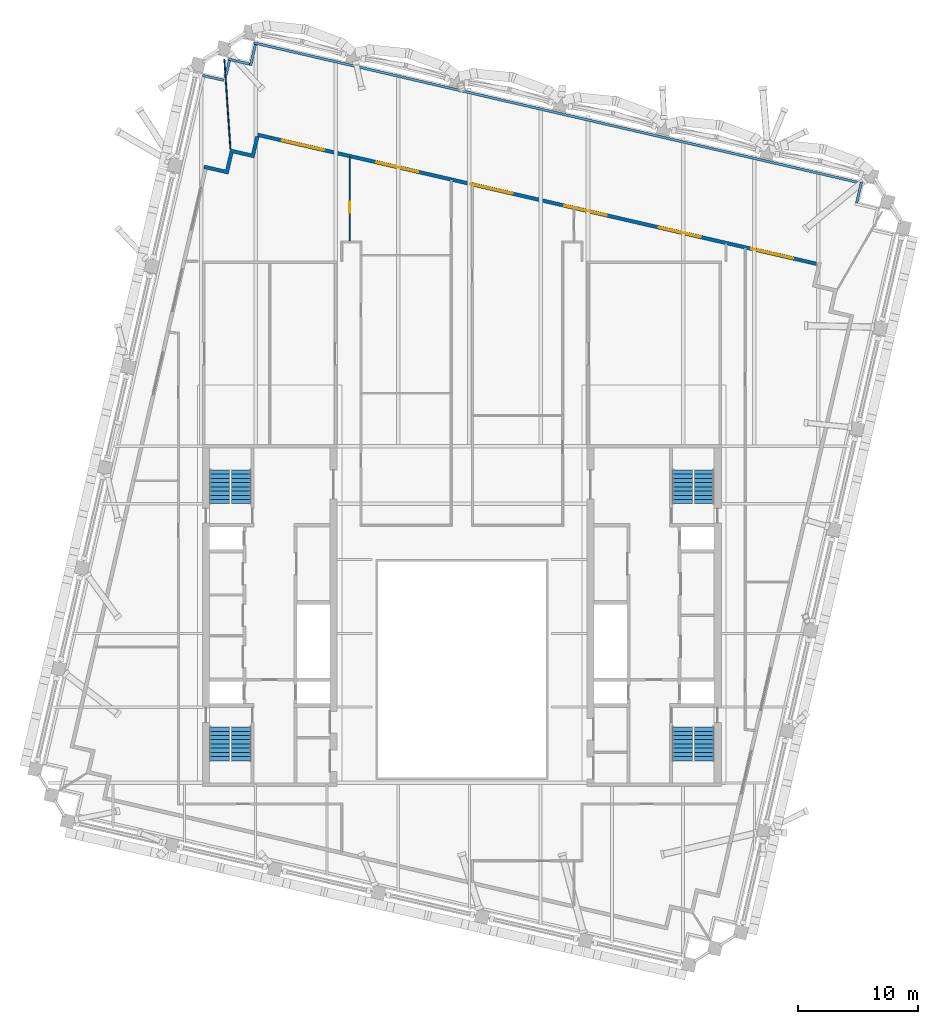
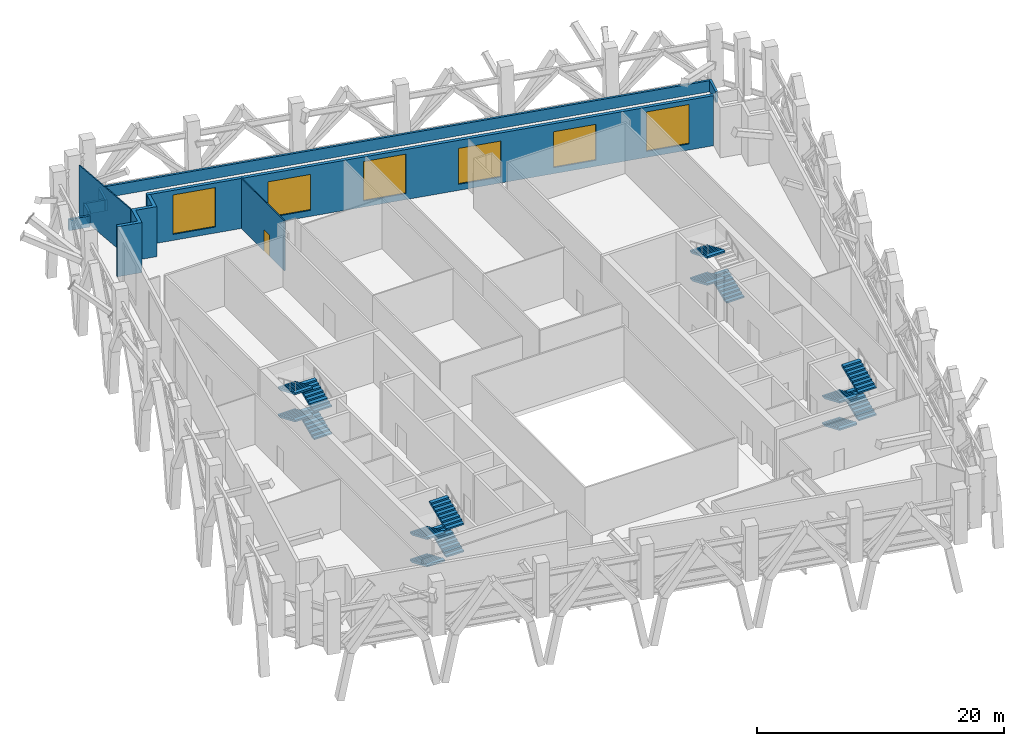
# One storey, part 10 of 19: 15 stair flights, 10 walls, 6 windows, 1 door, 7 openings, 4 elements without a shape of their own.
"""IFC4 building model written with IfcOpenShell, lengths in metres."""

from ifc_helpers import new_model, si_unit, direction, frame, frame_2d, origin, place, context, subcontext, project, spatial, polyline, rectangle, outline, extrude, material, layer, layer_set, type_object, element, fill, aggregate, save


model = new_model("IFC4")

# Units and contexts
model_context = context("Model", 3, precision=1e-05, world=origin(), true_north=direction((0.0, 1.0)))
body_context = subcontext(model_context, "Body", "Model", "MODEL_VIEW")
ifc_project = project(units=[si_unit("LENGTHUNIT", "METRE"), si_unit("AREAUNIT", "SQUARE_METRE"), si_unit("VOLUMEUNIT", "CUBIC_METRE"), si_unit("PLANEANGLEUNIT", "RADIAN"), si_unit("MASSUNIT", "GRAM", prefix="KILO")], contexts=[model_context])

# Site, building, storey
site_placement = place(None, origin())
site = spatial("IfcSite", under=ifc_project, at=site_placement, CompositionType="ELEMENT")
building_placement = place(site_placement, origin())
building = spatial("IfcBuilding", under=site, at=building_placement, Name="Ogive Exchange Tower", CompositionType="ELEMENT")
storey_placement = place(building_placement, frame((0.0, 0.0, 297.60009765625)))
storey = spatial("IfcBuildingStorey", under=building, at=storey_placement, Name="L65", CompositionType="ELEMENT", Elevation=297.60009765625)

# Wall, openings, windows
ifc_material_1 = material(Name="Precast concrete C40/50", Category="concrete")
ifc_layer_1 = layer(ifc_material_1, 0.300048828125)
ifc_layer_set_1 = layer_set([ifc_layer_1], Name="Limestone-faced wall 300")
wall_type_1 = type_object("IfcWallType", Name="Limestone-faced wall 300", PredefinedType="STANDARD", material=ifc_layer_set_1)
wall_1_placement = place(storey_placement, frame((29.6162109375, 40.75830078125, 0.0), z_axis=(0.0, 0.0, 1.0), x_axis=(-0.974370532314, 0.224949029246, 0.0)))
wall_1 = element("IfcWall", 1, at=wall_1_placement, inside=storey, type_object=wall_type_1, Name="External wall N3", PredefinedType="STANDARD", context=body_context, shape_type="SweptSolid", body=[
    extrude(rectangle(XDim=48.000244140625, YDim=0.300048828125, at=frame_2d((24.0, 0.0))), origin(), (0.0, 0.0, 1.0), 4.949951171875),
])
opening_1_placement = place(wall_1_placement, frame((2.074951171875, 0.0, 0.60009765625)))
opening_1 = element("IfcOpeningElement", 2, at=opening_1_placement, cuts=wall_1, Name="Opening LV1", PredefinedType="OPENING", context=body_context, shape_type="SweptSolid", body=[
    extrude(rectangle(XDim=3.60009765625, YDim=3.89990234375, at=frame_2d((1.800048828125, 1.949951171875))), frame((0.0, 0.159912109375, 0.0), z_axis=(0.0, -1.0, 0.0), x_axis=(1.0, 0.0, 0.0)), (0.0, 0.0, 1.0), 0.320068359375),
])
opening_2_placement = place(wall_1_placement, frame((9.97509765625, 0.0, 0.60009765625)))
opening_2 = element("IfcOpeningElement", 3, at=opening_2_placement, cuts=wall_1, Name="Opening LV1E", PredefinedType="OPENING", context=body_context, shape_type="SweptSolid", body=[
    extrude(rectangle(XDim=3.60009765625, YDim=3.550048828125, at=frame_2d((1.800048828125, 1.77490234375))), frame((0.0, 0.159912109375, 0.0), z_axis=(0.0, -1.0, 0.0), x_axis=(1.0, 0.0, 0.0)), (0.0, 0.0, 1.0), 0.320068359375),
])
opening_3_placement = place(wall_1_placement, frame((18.02490234375, 0.0, 0.60009765625)))
opening_3 = element("IfcOpeningElement", 4, at=opening_3_placement, cuts=wall_1, Name="Opening LV1E", PredefinedType="OPENING", context=body_context, shape_type="SweptSolid", body=[
    extrude(rectangle(XDim=3.60009765625, YDim=3.550048828125, at=frame_2d((1.800048828125, 1.77490234375))), frame((0.0, 0.159912109375, 0.0), z_axis=(0.0, -1.0, 0.0), x_axis=(1.0, 0.0, 0.0)), (0.0, 0.0, 1.0), 0.320068359375),
])
opening_4_placement = place(wall_1_placement, frame((26.074951171875, 0.0, 0.60009765625)))
opening_4 = element("IfcOpeningElement", 5, at=opening_4_placement, cuts=wall_1, Name="Opening LV1", PredefinedType="OPENING", context=body_context, shape_type="SweptSolid", body=[
    extrude(rectangle(XDim=3.60009765625, YDim=3.89990234375, at=frame_2d((1.800048828125, 1.949951171875))), frame((0.0, 0.159912109375, 0.0), z_axis=(0.0, -1.0, 0.0), x_axis=(1.0, 0.0, 0.0)), (0.0, 0.0, 1.0), 0.320068359375),
])
opening_5_placement = place(wall_1_placement, frame((34.125, 0.0, 0.60009765625)))
opening_5 = element("IfcOpeningElement", 6, at=opening_5_placement, cuts=wall_1, Name="Opening LV1E", PredefinedType="OPENING", context=body_context, shape_type="SweptSolid", body=[
    extrude(rectangle(XDim=3.60009765625, YDim=3.550048828125, at=frame_2d((1.800048828125, 1.77490234375))), frame((0.0, 0.159912109375, 0.0), z_axis=(0.0, -1.0, 0.0), x_axis=(1.0, 0.0, 0.0)), (0.0, 0.0, 1.0), 0.320068359375),
])
opening_6_placement = place(wall_1_placement, frame((42.175048828125, 0.0, 0.60009765625)))
opening_6 = element("IfcOpeningElement", 7, at=opening_6_placement, cuts=wall_1, Name="Opening LV1", PredefinedType="OPENING", context=body_context, shape_type="SweptSolid", body=[
    extrude(rectangle(XDim=3.60009765625, YDim=3.89990234375, at=frame_2d((1.800048828125, 1.949951171875))), frame((0.0, 0.159912109375, 0.0), z_axis=(0.0, -1.0, 0.0), x_axis=(1.0, 0.0, 0.0)), (0.0, 0.0, 1.0), 0.320068359375),
])
ifc_material_2 = material(Name="Anodised aluminium louvre", Category="aluminium")
window_type_1 = type_object("IfcWindowType", Name="Plant louvre 3600 x 3550", PartitioningType="DOUBLE_PANEL_HORIZONTAL", PredefinedType="WINDOW", material=ifc_material_2)
window_1_placement = place(opening_2_placement, origin())
window_1 = element("IfcWindow", 8, at=window_1_placement, inside=storey, type_object=window_type_1, Name="Louvre N01", OverallHeight=3.550048828125, OverallWidth=3.60009765625, PartitioningType="DOUBLE_PANEL_HORIZONTAL", PredefinedType="WINDOW", context=body_context, shape_type="SweptSolid", body=[
    extrude(rectangle(XDim=3.60009765625, YDim=3.550048828125, at=frame_2d((1.800048828125, 1.77490234375))), frame((0.0, 0.030029296875, 0.0), z_axis=(0.0, -1.0, 0.0), x_axis=(1.0, 0.0, 0.0)), (0.0, 0.0, 1.0), 0.06005859375),
])
fill(opening_2, window_1)
window_2_placement = place(opening_3_placement, origin())
window_2 = element("IfcWindow", 9, at=window_2_placement, inside=storey, type_object=window_type_1, Name="Louvre N02", OverallHeight=3.550048828125, OverallWidth=3.60009765625, PartitioningType="DOUBLE_PANEL_HORIZONTAL", PredefinedType="WINDOW", context=body_context, shape_type="SweptSolid", body=[
    extrude(rectangle(XDim=3.60009765625, YDim=3.550048828125, at=frame_2d((1.800048828125, 1.77490234375))), frame((0.0, 0.030029296875, 0.0), z_axis=(0.0, -1.0, 0.0), x_axis=(1.0, 0.0, 0.0)), (0.0, 0.0, 1.0), 0.06005859375),
])
fill(opening_3, window_2)
window_3_placement = place(opening_5_placement, origin())
window_3 = element("IfcWindow", 10, at=window_3_placement, inside=storey, type_object=window_type_1, Name="Louvre N04", OverallHeight=3.550048828125, OverallWidth=3.60009765625, PartitioningType="DOUBLE_PANEL_HORIZONTAL", PredefinedType="WINDOW", context=body_context, shape_type="SweptSolid", body=[
    extrude(rectangle(XDim=3.60009765625, YDim=3.550048828125, at=frame_2d((1.800048828125, 1.77490234375))), frame((0.0, 0.030029296875, 0.0), z_axis=(0.0, -1.0, 0.0), x_axis=(1.0, 0.0, 0.0)), (0.0, 0.0, 1.0), 0.06005859375),
])
fill(opening_5, window_3)
window_type_2 = type_object("IfcWindowType", Name="Plant louvre 3600 x 3900", PartitioningType="DOUBLE_PANEL_HORIZONTAL", PredefinedType="WINDOW", material=ifc_material_2)
window_4_placement = place(opening_1_placement, origin())
window_4 = element("IfcWindow", 11, at=window_4_placement, inside=storey, type_object=window_type_2, Name="Louvre N00", OverallHeight=3.89990234375, OverallWidth=3.60009765625, PartitioningType="DOUBLE_PANEL_HORIZONTAL", PredefinedType="WINDOW", context=body_context, shape_type="SweptSolid", body=[
    extrude(rectangle(XDim=3.60009765625, YDim=3.89990234375, at=frame_2d((1.800048828125, 1.949951171875))), frame((0.0, 0.030029296875, 0.0), z_axis=(0.0, -1.0, 0.0), x_axis=(1.0, 0.0, 0.0)), (0.0, 0.0, 1.0), 0.06005859375),
])
fill(opening_1, window_4)
window_5_placement = place(opening_4_placement, origin())
window_5 = element("IfcWindow", 12, at=window_5_placement, inside=storey, type_object=window_type_2, Name="Louvre N03", OverallHeight=3.89990234375, OverallWidth=3.60009765625, PartitioningType="DOUBLE_PANEL_HORIZONTAL", PredefinedType="WINDOW", context=body_context, shape_type="SweptSolid", body=[
    extrude(rectangle(XDim=3.60009765625, YDim=3.89990234375, at=frame_2d((1.800048828125, 1.949951171875))), frame((0.0, 0.030029296875, 0.0), z_axis=(0.0, -1.0, 0.0), x_axis=(1.0, 0.0, 0.0)), (0.0, 0.0, 1.0), 0.06005859375),
])
fill(opening_4, window_5)
window_6_placement = place(opening_6_placement, origin())
window_6 = element("IfcWindow", 13, at=window_6_placement, inside=storey, type_object=window_type_2, Name="Louvre N05", OverallHeight=3.89990234375, OverallWidth=3.60009765625, PartitioningType="DOUBLE_PANEL_HORIZONTAL", PredefinedType="WINDOW", context=body_context, shape_type="SweptSolid", body=[
    extrude(rectangle(XDim=3.60009765625, YDim=3.89990234375, at=frame_2d((1.800048828125, 1.949951171875))), frame((0.0, 0.030029296875, 0.0), z_axis=(0.0, -1.0, 0.0), x_axis=(1.0, 0.0, 0.0)), (0.0, 0.0, 1.0), 0.06005859375),
])
fill(opening_6, window_6)

# Walls
wall_2_placement = place(storey_placement, origin())
element("IfcWall", 14, at=wall_2_placement, inside=storey, type_object=wall_type_1, Name="External corner wall C3", PredefinedType="STANDARD", context=body_context, shape_type="SweptSolid", body=[
    extrude(outline(polyline([(-21.5048828125, 48.7119140625), (-21.4375, 49.004150390625), (-19.68359375, 48.599365234375), (-19.27880859375, 50.353271484375), (-17.52490234375, 49.9482421875), (-17.1875, 51.409912109375), (-16.89501953125, 51.34228515625), (-17.300048828125, 49.58837890625), (-19.053955078125, 49.993408203125), (-19.458740234375, 48.239501953125), (-21.5048828125, 48.7119140625)])), origin(), (0.0, 0.0, 1.0), 4.949951171875),
])
ifc_material_3 = material(Name="Laminated safety glass in steel frame", Category="steel")
ifc_layer_2 = layer(ifc_material_3, 0.10009765625)
ifc_layer_set_2 = layer_set([ifc_layer_2], Name="Loggia end screen 100")
wall_type_2 = type_object("IfcWallType", Name="Loggia end screen 100", PredefinedType="STANDARD", material=ifc_layer_set_2)
wall_3_placement = place(storey_placement, frame((-19.27880859375, 50.353271484375, -0.050048828125), z_axis=(0.0, 0.0, 1.0), x_axis=(-0.067645197013, 0.997709440329, 0.0)))
element("IfcWall", 15, at=wall_3_placement, inside=storey, type_object=wall_type_2, Name="Loggia end screen C3", PredefinedType="STANDARD", context=body_context, shape_type="SweptSolid", body=[
    extrude(rectangle(XDim=7.46728515625, YDim=0.10009765625, at=frame_2d((3.733642578125, 0.0))), origin(), (0.0, 0.0, 1.0), 5.0),
])

# Wall, opening, door
ifc_material_4 = material(Name="Partition 100 gypsum")
ifc_layer_3 = layer(ifc_material_4, 0.10009765625)
ifc_layer_set_3 = layer_set([ifc_layer_3], Name="Partition 100 gypsum")
wall_type_3 = type_object("IfcWallType", Name="Partition 100 gypsum", PredefinedType="PARTITIONING", material=ifc_layer_set_3)
wall_4_placement = place(storey_placement, frame((-9.340087890625, 42.675048828125, 0.0), z_axis=(0.0, 0.0, 1.0), x_axis=(0.0, 1.0, 0.0)))
wall_4 = element("IfcWall", 16, at=wall_4_placement, inside=storey, type_object=wall_type_3, Name="L65-PWL-012", PredefinedType="PARTITIONING", context=body_context, shape_type="SweptSolid", body=[
    extrude(rectangle(XDim=7.005859375, YDim=0.10009765625, at=frame_2d((3.5029296875, 0.0))), origin(), (0.0, 0.0, 1.0), 4.949951171875),
])
opening_7_placement = place(wall_4_placement, frame((2.375, 0.0, 0.0)))
opening_7 = element("IfcOpeningElement", 17, at=opening_7_placement, cuts=wall_4, Name="Opening L65-I04", PredefinedType="OPENING", context=body_context, shape_type="SweptSolid", body=[
    extrude(rectangle(XDim=0.89990234375, YDim=2.10009765625, at=frame_2d((0.449951171875, 1.050048828125))), frame((0.0, 0.06005859375, 0.0), z_axis=(0.0, -1.0, 0.0), x_axis=(1.0, 0.0, 0.0)), (0.0, 0.0, 1.0), 0.1201171875),
])
ifc_material_5 = material(Name="Door 900 x 2100")
door_type = type_object("IfcDoorType", Name="Door 900 x 2100", OperationType="NOTDEFINED", PredefinedType="DOOR", material=ifc_material_5)
door_placement = place(opening_7_placement, frame((0.89990234375, 0.0, 0.0), z_axis=(0.0, 0.0, 1.0), x_axis=(-1.0, 0.0, 0.0)))
door = element("IfcDoor", 18, at=door_placement, inside=storey, type_object=door_type, Name="L65-IDR-004", ObjectType="DT1", OperationType="SINGLE_SWING_LEFT", OverallHeight=2.10009765625, OverallWidth=0.89990234375, PredefinedType="DOOR", context=body_context, shape_type="SweptSolid", body=[
    extrude(rectangle(XDim=0.89990234375, YDim=2.10009765625, at=frame_2d((0.449951171875, 1.050048828125))), frame((0.0, 0.02490234375, 0.0), z_axis=(0.0, -1.0, 0.0), x_axis=(1.0, 0.0, 0.0)), (0.0, 0.0, 1.0), 0.050048828125),
])
fill(opening_7, door)

# Walls
ifc_layer_4 = layer(ifc_material_1, 0.199951171875)
ifc_layer_set_4 = layer_set([ifc_layer_4], Name="Plant deck parapet 200")
wall_type_4 = type_object("IfcWallType", Name="Plant deck parapet 200", PredefinedType="STANDARD", material=ifc_layer_set_4)
wall_5_placement = place(storey_placement, frame((32.873779296875, 45.844970703125, -0.050048828125), z_axis=(0.0, 0.0, 1.0), x_axis=(0.225008086135, 0.974356896201, 0.0)))
element("IfcWall", 19, at=wall_5_placement, inside=storey, type_object=wall_type_4, Name="Plant deck parapet 10", PredefinedType="STANDARD", context=body_context, shape_type="SweptSolid", body=[
    extrude(rectangle(XDim=1.800048828125, YDim=0.199951171875, at=frame_2d((0.89990234375, 0.0))), origin(), (0.0, 0.0, 1.0), 1.099853515625),
])
wall_6_placement = place(storey_placement, frame((33.15869140625, 47.52392578125, -0.050048828125), z_axis=(0.0, 0.0, 1.0), x_axis=(-0.974370681559, 0.224948382787, 0.0)))
element("IfcWall", 20, at=wall_6_placement, inside=storey, type_object=wall_type_4, Name="Plant deck parapet 11", PredefinedType="STANDARD", context=body_context, shape_type="SweptSolid", body=[
    extrude(rectangle(XDim=51.760009765625, YDim=0.199951171875, at=frame_2d((25.8798828125, 0.0))), origin(), (0.0, 0.0, 1.0), 1.099853515625),
])
for number, where, z_axis, x_axis, name in (
    (21, (-17.19970703125, 59.04736328125, -0.050048828125), (0.0, 0.0, 1.0), (-0.224879318197, -0.974386623598, 0.0), "Plant deck parapet 12"),
    (22, (-17.679443359375, 57.41357421875, -0.050048828125), (0.0, 0.0, 1.0), (-0.974386623598, 0.224879318197, 0.0), "Plant deck parapet 13"),
):
    element("IfcWall", number, at=place(storey_placement, frame(where, z_axis=z_axis, x_axis=x_axis)), inside=storey, type_object=wall_type_4, Name=name, PredefinedType="STANDARD", context=body_context, shape_type="SweptSolid", body=[
        extrude(rectangle(XDim=1.800048828125, YDim=0.199951171875, at=frame_2d((0.89990234375, 0.0))), origin(), (0.0, 0.0, 1.0), 1.099853515625),
    ])
wall_7_placement = place(storey_placement, frame((-19.3583984375, 57.698486328125, -0.050048828125), z_axis=(0.0, 0.0, 1.0), x_axis=(-0.224991665292, -0.974360688118, 0.0)))
element("IfcWall", 23, at=wall_7_placement, inside=storey, type_object=wall_type_4, Name="Plant deck parapet 14", PredefinedType="STANDARD", context=body_context, shape_type="SweptSolid", body=[
    extrude(rectangle(XDim=1.21435546875, YDim=0.199951171875, at=frame_2d((0.607177734375, 0.0))), origin(), (0.0, 0.0, 1.0), 1.099853515625),
])
wall_8_placement = place(storey_placement, frame((-19.83837890625, 56.064453125, -0.050048828125), z_axis=(0.0, 0.0, 1.0), x_axis=(-0.974350028141, 0.22503782496, 0.0)))
element("IfcWall", 24, at=wall_8_placement, inside=storey, type_object=wall_type_4, Name="Plant deck parapet 15", PredefinedType="STANDARD", context=body_context, shape_type="SweptSolid", body=[
    extrude(rectangle(XDim=1.7998046875, YDim=0.199951171875, at=frame_2d((0.89990234375, 0.0))), origin(), (0.0, 0.0, 1.0), 1.099853515625),
])

# Stair, stair flights
ifc_material_6 = material(Name="Concrete C40/50", Category="concrete")
stair_type = type_object("IfcStairType", Name="Exit stair 1650 wide", PredefinedType="HALF_TURN_STAIR", material=ifc_material_6)
stair_1_placement = place(storey_placement, origin())
stair_1 = element("IfcStair", 25, at=stair_1_placement, inside=storey, type_object=stair_type, Name="L65 exit stair ST1", PredefinedType="HALF_TURN_STAIR")
stair_flight_type = type_object("IfcStairFlightType", Name="Stair flight 1650 wide", PredefinedType="STRAIGHT", material=ifc_material_6)
stair_flight_1_placement = place(storey_placement, frame((-20.175048828125, 2.199951171875, 0.0), z_axis=(0.0, 0.0, 1.0), x_axis=(0.0, -1.0, 0.0)))
stair_flight_1 = element("IfcStairFlight", 26, at=stair_flight_1_placement, type_object=stair_flight_type, Name="ST1 flight 1", NumberOfRisers=9, NumberOfTreads=8, PredefinedType="STRAIGHT", RiserHeight=0.15, TreadLength=0.351, context=body_context, shape_type="SweptSolid", body=[
    extrude(outline(polyline([(0.0, 0.0), (0.0, 0.14990234375), (0.35107421875, 0.14990234375), (0.35107421875, 0.300048828125), (0.701904296875, 0.300048828125), (0.701904296875, 0.449951171875), (1.052978515625, 0.449951171875), (1.052978515625, 0.60009765625), (1.404052734375, 0.60009765625), (1.404052734375, 0.75), (1.7548828125, 0.75), (1.7548828125, 0.89990234375), (2.10595703125, 0.89990234375), (2.10595703125, 1.050048828125), (2.45703125, 1.050048828125), (2.45703125, 1.199951171875), (2.80810546875, 1.199951171875), (2.80810546875, 1.35009765625), (2.80810546875, 1.036865234375), (0.38134765625, 0.0), (0.0, 0.0)])), frame((0.0, 0.824951171875, 0.0), z_axis=(0.0, -1.0, 0.0), x_axis=(1.0, 0.0, 0.0)), (0.0, 0.0, 1.0), 1.64990234375),
])
stair_flight_2_placement = place(storey_placement, frame((-18.375, -0.60791015625, 1.349853515625), z_axis=(0.0, 0.0, 1.0), x_axis=(0.0, 1.0, 0.0)))
stair_flight_2 = element("IfcStairFlight", 27, at=stair_flight_2_placement, type_object=stair_flight_type, Name="ST1 flight 2", NumberOfRisers=9, NumberOfTreads=8, PredefinedType="STRAIGHT", RiserHeight=0.15, TreadLength=0.351, context=body_context, shape_type="SweptSolid", body=[
    extrude(outline(polyline([(0.0, 0.0), (0.0, 0.14990234375), (0.35107421875, 0.14990234375), (0.35107421875, 0.300048828125), (0.701904296875, 0.300048828125), (0.701904296875, 0.449951171875), (1.052978515625, 0.449951171875), (1.052978515625, 0.60009765625), (1.404052734375, 0.60009765625), (1.404052734375, 0.75), (1.7548828125, 0.75), (1.7548828125, 0.89990234375), (2.10595703125, 0.89990234375), (2.10595703125, 1.050048828125), (2.45703125, 1.050048828125), (2.45703125, 1.199951171875), (2.80810546875, 1.199951171875), (2.80810546875, 1.35009765625), (2.80810546875, 1.036865234375), (0.38134765625, 0.0), (0.0, 0.0)])), frame((0.0, 0.824951171875, 0.0), z_axis=(0.0, -1.0, 0.0), x_axis=(1.0, 0.0, 0.0)), (0.0, 0.0, 1.0), 1.64990234375),
])
stair_flight_3_placement = place(storey_placement, frame((-20.175048828125, 2.199951171875, 2.699951171875), z_axis=(0.0, 0.0, 1.0), x_axis=(0.0, -1.0, 0.0)))
stair_flight_3 = element("IfcStairFlight", 28, at=stair_flight_3_placement, type_object=stair_flight_type, Name="ST1 flight 3", NumberOfRisers=9, NumberOfTreads=8, PredefinedType="STRAIGHT", RiserHeight=0.15, TreadLength=0.351, context=body_context, shape_type="SweptSolid", body=[
    extrude(outline(polyline([(0.0, 0.0), (0.0, 0.14990234375), (0.35107421875, 0.14990234375), (0.35107421875, 0.300048828125), (0.701904296875, 0.300048828125), (0.701904296875, 0.449951171875), (1.052978515625, 0.449951171875), (1.052978515625, 0.60009765625), (1.404052734375, 0.60009765625), (1.404052734375, 0.75), (1.7548828125, 0.75), (1.7548828125, 0.89990234375), (2.10595703125, 0.89990234375), (2.10595703125, 1.050048828125), (2.45703125, 1.050048828125), (2.45703125, 1.199951171875), (2.80810546875, 1.199951171875), (2.80810546875, 1.35009765625), (2.80810546875, 1.036865234375), (0.38134765625, 0.0), (0.0, 0.0)])), frame((0.0, 0.824951171875, 0.0), z_axis=(0.0, -1.0, 0.0), x_axis=(1.0, 0.0, 0.0)), (0.0, 0.0, 1.0), 1.64990234375),
])
stair_flight_4_placement = place(storey_placement, frame((-18.375, -0.60791015625, 4.0498046875), z_axis=(0.0, 0.0, 1.0), x_axis=(0.0, 1.0, 0.0)))
stair_flight_4 = element("IfcStairFlight", 29, at=stair_flight_4_placement, type_object=stair_flight_type, Name="ST1 flight 4", NumberOfRisers=9, NumberOfTreads=8, PredefinedType="STRAIGHT", RiserHeight=0.15, TreadLength=0.351, context=body_context, shape_type="SweptSolid", body=[
    extrude(outline(polyline([(0.0, 0.0), (0.0, 0.14990234375), (0.35107421875, 0.14990234375), (0.35107421875, 0.300048828125), (0.701904296875, 0.300048828125), (0.701904296875, 0.449951171875), (1.052978515625, 0.449951171875), (1.052978515625, 0.60009765625), (1.404052734375, 0.60009765625), (1.404052734375, 0.75), (1.7548828125, 0.75), (1.7548828125, 0.89990234375), (2.10595703125, 0.89990234375), (2.10595703125, 1.050048828125), (2.45703125, 1.050048828125), (2.45703125, 1.199951171875), (2.80810546875, 1.199951171875), (2.80810546875, 1.35009765625), (2.80810546875, 1.036865234375), (0.38134765625, 0.0), (0.0, 0.0)])), frame((0.0, 0.824951171875, 0.0), z_axis=(0.0, -1.0, 0.0), x_axis=(1.0, 0.0, 0.0)), (0.0, 0.0, 1.0), 1.64990234375),
])
aggregate(stair_1, [stair_flight_1, stair_flight_2, stair_flight_3, stair_flight_4])

stair_2_placement = place(storey_placement, origin())
stair_2 = element("IfcStair", 30, at=stair_2_placement, inside=storey, type_object=stair_type, Name="L65 exit stair ST2", PredefinedType="HALF_TURN_STAIR")
stair_flight_5_placement = place(storey_placement, frame((-18.375, 20.800048828125, 0.0), z_axis=(0.0, 0.0, 1.0), x_axis=(0.0, 1.0, 0.0)))
stair_flight_5 = element("IfcStairFlight", 31, at=stair_flight_5_placement, type_object=stair_flight_type, Name="ST2 flight 1", NumberOfRisers=9, NumberOfTreads=8, PredefinedType="STRAIGHT", RiserHeight=0.15, TreadLength=0.351, context=body_context, shape_type="SweptSolid", body=[
    extrude(outline(polyline([(0.0, 0.0), (0.0, 0.14990234375), (0.35107421875, 0.14990234375), (0.35107421875, 0.300048828125), (0.701904296875, 0.300048828125), (0.701904296875, 0.449951171875), (1.052978515625, 0.449951171875), (1.052978515625, 0.60009765625), (1.404052734375, 0.60009765625), (1.404052734375, 0.75), (1.7548828125, 0.75), (1.7548828125, 0.89990234375), (2.10595703125, 0.89990234375), (2.10595703125, 1.050048828125), (2.45703125, 1.050048828125), (2.45703125, 1.199951171875), (2.80810546875, 1.199951171875), (2.80810546875, 1.35009765625), (2.80810546875, 1.036865234375), (0.38134765625, 0.0), (0.0, 0.0)])), frame((0.0, 0.824951171875, 0.0), z_axis=(0.0, -1.0, 0.0), x_axis=(1.0, 0.0, 0.0)), (0.0, 0.0, 1.0), 1.64990234375),
])
stair_flight_6_placement = place(storey_placement, frame((-20.175048828125, 23.60791015625, 1.349853515625), z_axis=(0.0, 0.0, 1.0), x_axis=(0.0, -1.0, 0.0)))
stair_flight_6 = element("IfcStairFlight", 32, at=stair_flight_6_placement, type_object=stair_flight_type, Name="ST2 flight 2", NumberOfRisers=9, NumberOfTreads=8, PredefinedType="STRAIGHT", RiserHeight=0.15, TreadLength=0.351, context=body_context, shape_type="SweptSolid", body=[
    extrude(outline(polyline([(0.0, 0.0), (0.0, 0.14990234375), (0.35107421875, 0.14990234375), (0.35107421875, 0.300048828125), (0.701904296875, 0.300048828125), (0.701904296875, 0.449951171875), (1.052978515625, 0.449951171875), (1.052978515625, 0.60009765625), (1.404052734375, 0.60009765625), (1.404052734375, 0.75), (1.7548828125, 0.75), (1.7548828125, 0.89990234375), (2.10595703125, 0.89990234375), (2.10595703125, 1.050048828125), (2.45703125, 1.050048828125), (2.45703125, 1.199951171875), (2.80810546875, 1.199951171875), (2.80810546875, 1.35009765625), (2.80810546875, 1.036865234375), (0.38134765625, 0.0), (0.0, 0.0)])), frame((0.0, 0.824951171875, 0.0), z_axis=(0.0, -1.0, 0.0), x_axis=(1.0, 0.0, 0.0)), (0.0, 0.0, 1.0), 1.64990234375),
])
stair_flight_7_placement = place(storey_placement, frame((-18.375, 20.800048828125, 2.699951171875), z_axis=(0.0, 0.0, 1.0), x_axis=(0.0, 1.0, 0.0)))
stair_flight_7 = element("IfcStairFlight", 33, at=stair_flight_7_placement, type_object=stair_flight_type, Name="ST2 flight 3", NumberOfRisers=9, NumberOfTreads=8, PredefinedType="STRAIGHT", RiserHeight=0.15, TreadLength=0.351, context=body_context, shape_type="SweptSolid", body=[
    extrude(outline(polyline([(0.0, 0.0), (0.0, 0.14990234375), (0.35107421875, 0.14990234375), (0.35107421875, 0.300048828125), (0.701904296875, 0.300048828125), (0.701904296875, 0.449951171875), (1.052978515625, 0.449951171875), (1.052978515625, 0.60009765625), (1.404052734375, 0.60009765625), (1.404052734375, 0.75), (1.7548828125, 0.75), (1.7548828125, 0.89990234375), (2.10595703125, 0.89990234375), (2.10595703125, 1.050048828125), (2.45703125, 1.050048828125), (2.45703125, 1.199951171875), (2.80810546875, 1.199951171875), (2.80810546875, 1.35009765625), (2.80810546875, 1.036865234375), (0.38134765625, 0.0), (0.0, 0.0)])), frame((0.0, 0.824951171875, 0.0), z_axis=(0.0, -1.0, 0.0), x_axis=(1.0, 0.0, 0.0)), (0.0, 0.0, 1.0), 1.64990234375),
])
stair_flight_8_placement = place(storey_placement, frame((-20.175048828125, 23.60791015625, 4.0498046875), z_axis=(0.0, 0.0, 1.0), x_axis=(0.0, -1.0, 0.0)))
stair_flight_8 = element("IfcStairFlight", 34, at=stair_flight_8_placement, type_object=stair_flight_type, Name="ST2 flight 4", NumberOfRisers=9, NumberOfTreads=8, PredefinedType="STRAIGHT", RiserHeight=0.15, TreadLength=0.351, context=body_context, shape_type="SweptSolid", body=[
    extrude(outline(polyline([(0.0, 0.0), (0.0, 0.14990234375), (0.35107421875, 0.14990234375), (0.35107421875, 0.300048828125), (0.701904296875, 0.300048828125), (0.701904296875, 0.449951171875), (1.052978515625, 0.449951171875), (1.052978515625, 0.60009765625), (1.404052734375, 0.60009765625), (1.404052734375, 0.75), (1.7548828125, 0.75), (1.7548828125, 0.89990234375), (2.10595703125, 0.89990234375), (2.10595703125, 1.050048828125), (2.45703125, 1.050048828125), (2.45703125, 1.199951171875), (2.80810546875, 1.199951171875), (2.80810546875, 1.35009765625), (2.80810546875, 1.036865234375), (0.38134765625, 0.0), (0.0, 0.0)])), frame((0.0, 0.824951171875, 0.0), z_axis=(0.0, -1.0, 0.0), x_axis=(1.0, 0.0, 0.0)), (0.0, 0.0, 1.0), 1.64990234375),
])
aggregate(stair_2, [stair_flight_5, stair_flight_6, stair_flight_7, stair_flight_8])

stair_3_placement = place(storey_placement, origin())
stair_3 = element("IfcStair", 35, at=stair_3_placement, inside=storey, type_object=stair_type, Name="L65 exit stair ST3", PredefinedType="HALF_TURN_STAIR")
stair_flight_9_placement = place(storey_placement, frame((18.375, 2.199951171875, 0.0), z_axis=(0.0, 0.0, 1.0), x_axis=(0.0, -1.0, 0.0)))
stair_flight_9 = element("IfcStairFlight", 36, at=stair_flight_9_placement, type_object=stair_flight_type, Name="ST3 flight 1", NumberOfRisers=9, NumberOfTreads=8, PredefinedType="STRAIGHT", RiserHeight=0.15, TreadLength=0.351, context=body_context, shape_type="SweptSolid", body=[
    extrude(outline(polyline([(0.0, 0.0), (0.0, 0.14990234375), (0.35107421875, 0.14990234375), (0.35107421875, 0.300048828125), (0.701904296875, 0.300048828125), (0.701904296875, 0.449951171875), (1.052978515625, 0.449951171875), (1.052978515625, 0.60009765625), (1.404052734375, 0.60009765625), (1.404052734375, 0.75), (1.7548828125, 0.75), (1.7548828125, 0.89990234375), (2.10595703125, 0.89990234375), (2.10595703125, 1.050048828125), (2.45703125, 1.050048828125), (2.45703125, 1.199951171875), (2.80810546875, 1.199951171875), (2.80810546875, 1.35009765625), (2.80810546875, 1.036865234375), (0.38134765625, 0.0), (0.0, 0.0)])), frame((0.0, 0.824951171875, 0.0), z_axis=(0.0, -1.0, 0.0), x_axis=(1.0, 0.0, 0.0)), (0.0, 0.0, 1.0), 1.64990234375),
])
stair_flight_10_placement = place(storey_placement, frame((20.175048828125, -0.60791015625, 1.349853515625), z_axis=(0.0, 0.0, 1.0), x_axis=(0.0, 1.0, 0.0)))
stair_flight_10 = element("IfcStairFlight", 37, at=stair_flight_10_placement, type_object=stair_flight_type, Name="ST3 flight 2", NumberOfRisers=9, NumberOfTreads=8, PredefinedType="STRAIGHT", RiserHeight=0.15, TreadLength=0.351, context=body_context, shape_type="SweptSolid", body=[
    extrude(outline(polyline([(0.0, 0.0), (0.0, 0.14990234375), (0.35107421875, 0.14990234375), (0.35107421875, 0.300048828125), (0.701904296875, 0.300048828125), (0.701904296875, 0.449951171875), (1.052978515625, 0.449951171875), (1.052978515625, 0.60009765625), (1.404052734375, 0.60009765625), (1.404052734375, 0.75), (1.7548828125, 0.75), (1.7548828125, 0.89990234375), (2.10595703125, 0.89990234375), (2.10595703125, 1.050048828125), (2.45703125, 1.050048828125), (2.45703125, 1.199951171875), (2.80810546875, 1.199951171875), (2.80810546875, 1.35009765625), (2.80810546875, 1.036865234375), (0.38134765625, 0.0), (0.0, 0.0)])), frame((0.0, 0.824951171875, 0.0), z_axis=(0.0, -1.0, 0.0), x_axis=(1.0, 0.0, 0.0)), (0.0, 0.0, 1.0), 1.64990234375),
])
stair_flight_11_placement = place(storey_placement, frame((18.375, 2.199951171875, 2.699951171875), z_axis=(0.0, 0.0, 1.0), x_axis=(0.0, -1.0, 0.0)))
stair_flight_11 = element("IfcStairFlight", 38, at=stair_flight_11_placement, type_object=stair_flight_type, Name="ST3 flight 3", NumberOfRisers=9, NumberOfTreads=8, PredefinedType="STRAIGHT", RiserHeight=0.15, TreadLength=0.351, context=body_context, shape_type="SweptSolid", body=[
    extrude(outline(polyline([(0.0, 0.0), (0.0, 0.14990234375), (0.35107421875, 0.14990234375), (0.35107421875, 0.300048828125), (0.701904296875, 0.300048828125), (0.701904296875, 0.449951171875), (1.052978515625, 0.449951171875), (1.052978515625, 0.60009765625), (1.404052734375, 0.60009765625), (1.404052734375, 0.75), (1.7548828125, 0.75), (1.7548828125, 0.89990234375), (2.10595703125, 0.89990234375), (2.10595703125, 1.050048828125), (2.45703125, 1.050048828125), (2.45703125, 1.199951171875), (2.80810546875, 1.199951171875), (2.80810546875, 1.35009765625), (2.80810546875, 1.036865234375), (0.38134765625, 0.0), (0.0, 0.0)])), frame((0.0, 0.824951171875, 0.0), z_axis=(0.0, -1.0, 0.0), x_axis=(1.0, 0.0, 0.0)), (0.0, 0.0, 1.0), 1.64990234375),
])
stair_flight_12_placement = place(storey_placement, frame((20.175048828125, -0.60791015625, 4.0498046875), z_axis=(0.0, 0.0, 1.0), x_axis=(0.0, 1.0, 0.0)))
stair_flight_12 = element("IfcStairFlight", 39, at=stair_flight_12_placement, type_object=stair_flight_type, Name="ST3 flight 4", NumberOfRisers=9, NumberOfTreads=8, PredefinedType="STRAIGHT", RiserHeight=0.15, TreadLength=0.351, context=body_context, shape_type="SweptSolid", body=[
    extrude(outline(polyline([(0.0, 0.0), (0.0, 0.14990234375), (0.35107421875, 0.14990234375), (0.35107421875, 0.300048828125), (0.701904296875, 0.300048828125), (0.701904296875, 0.449951171875), (1.052978515625, 0.449951171875), (1.052978515625, 0.60009765625), (1.404052734375, 0.60009765625), (1.404052734375, 0.75), (1.7548828125, 0.75), (1.7548828125, 0.89990234375), (2.10595703125, 0.89990234375), (2.10595703125, 1.050048828125), (2.45703125, 1.050048828125), (2.45703125, 1.199951171875), (2.80810546875, 1.199951171875), (2.80810546875, 1.35009765625), (2.80810546875, 1.036865234375), (0.38134765625, 0.0), (0.0, 0.0)])), frame((0.0, 0.824951171875, 0.0), z_axis=(0.0, -1.0, 0.0), x_axis=(1.0, 0.0, 0.0)), (0.0, 0.0, 1.0), 1.64990234375),
])
aggregate(stair_3, [stair_flight_9, stair_flight_10, stair_flight_11, stair_flight_12])

stair_4_placement = place(storey_placement, origin())
stair_4 = element("IfcStair", 40, at=stair_4_placement, inside=storey, type_object=stair_type, Name="L65 exit stair ST4", PredefinedType="HALF_TURN_STAIR")
stair_flight_13_placement = place(storey_placement, frame((20.175048828125, 20.800048828125, 0.0), z_axis=(0.0, 0.0, 1.0), x_axis=(0.0, 1.0, 0.0)))
stair_flight_13 = element("IfcStairFlight", 41, at=stair_flight_13_placement, type_object=stair_flight_type, Name="ST4 flight 1", NumberOfRisers=9, NumberOfTreads=8, PredefinedType="STRAIGHT", RiserHeight=0.15, TreadLength=0.351, context=body_context, shape_type="SweptSolid", body=[
    extrude(outline(polyline([(0.0, 0.0), (0.0, 0.14990234375), (0.35107421875, 0.14990234375), (0.35107421875, 0.300048828125), (0.701904296875, 0.300048828125), (0.701904296875, 0.449951171875), (1.052978515625, 0.449951171875), (1.052978515625, 0.60009765625), (1.404052734375, 0.60009765625), (1.404052734375, 0.75), (1.7548828125, 0.75), (1.7548828125, 0.89990234375), (2.10595703125, 0.89990234375), (2.10595703125, 1.050048828125), (2.45703125, 1.050048828125), (2.45703125, 1.199951171875), (2.80810546875, 1.199951171875), (2.80810546875, 1.35009765625), (2.80810546875, 1.036865234375), (0.38134765625, 0.0), (0.0, 0.0)])), frame((0.0, 0.824951171875, 0.0), z_axis=(0.0, -1.0, 0.0), x_axis=(1.0, 0.0, 0.0)), (0.0, 0.0, 1.0), 1.64990234375),
])
stair_flight_14_placement = place(storey_placement, frame((18.375, 23.60791015625, 1.349853515625), z_axis=(0.0, 0.0, 1.0), x_axis=(0.0, -1.0, 0.0)))
stair_flight_14 = element("IfcStairFlight", 42, at=stair_flight_14_placement, type_object=stair_flight_type, Name="ST4 flight 2", NumberOfRisers=9, NumberOfTreads=8, PredefinedType="STRAIGHT", RiserHeight=0.15, TreadLength=0.351, context=body_context, shape_type="SweptSolid", body=[
    extrude(outline(polyline([(0.0, 0.0), (0.0, 0.14990234375), (0.35107421875, 0.14990234375), (0.35107421875, 0.300048828125), (0.701904296875, 0.300048828125), (0.701904296875, 0.449951171875), (1.052978515625, 0.449951171875), (1.052978515625, 0.60009765625), (1.404052734375, 0.60009765625), (1.404052734375, 0.75), (1.7548828125, 0.75), (1.7548828125, 0.89990234375), (2.10595703125, 0.89990234375), (2.10595703125, 1.050048828125), (2.45703125, 1.050048828125), (2.45703125, 1.199951171875), (2.80810546875, 1.199951171875), (2.80810546875, 1.35009765625), (2.80810546875, 1.036865234375), (0.38134765625, 0.0), (0.0, 0.0)])), frame((0.0, 0.824951171875, 0.0), z_axis=(0.0, -1.0, 0.0), x_axis=(1.0, 0.0, 0.0)), (0.0, 0.0, 1.0), 1.64990234375),
])
stair_flight_15_placement = place(storey_placement, frame((18.375, 23.60791015625, 4.0498046875), z_axis=(0.0, 0.0, 1.0), x_axis=(0.0, -1.0, 0.0)))
stair_flight_15 = element("IfcStairFlight", 43, at=stair_flight_15_placement, type_object=stair_flight_type, Name="ST4 flight 4", NumberOfRisers=9, NumberOfTreads=8, PredefinedType="STRAIGHT", RiserHeight=0.15, TreadLength=0.351, context=body_context, shape_type="SweptSolid", body=[
    extrude(outline(polyline([(0.0, 0.0), (0.0, 0.14990234375), (0.35107421875, 0.14990234375), (0.35107421875, 0.300048828125), (0.701904296875, 0.300048828125), (0.701904296875, 0.449951171875), (1.052978515625, 0.449951171875), (1.052978515625, 0.60009765625), (1.404052734375, 0.60009765625), (1.404052734375, 0.75), (1.7548828125, 0.75), (1.7548828125, 0.89990234375), (2.10595703125, 0.89990234375), (2.10595703125, 1.050048828125), (2.45703125, 1.050048828125), (2.45703125, 1.199951171875), (2.80810546875, 1.199951171875), (2.80810546875, 1.35009765625), (2.80810546875, 1.036865234375), (0.38134765625, 0.0), (0.0, 0.0)])), frame((0.0, 0.824951171875, 0.0), z_axis=(0.0, -1.0, 0.0), x_axis=(1.0, 0.0, 0.0)), (0.0, 0.0, 1.0), 1.64990234375),
])
aggregate(stair_4, [stair_flight_13, stair_flight_14, stair_flight_15])

save(model, "model.ifc")
